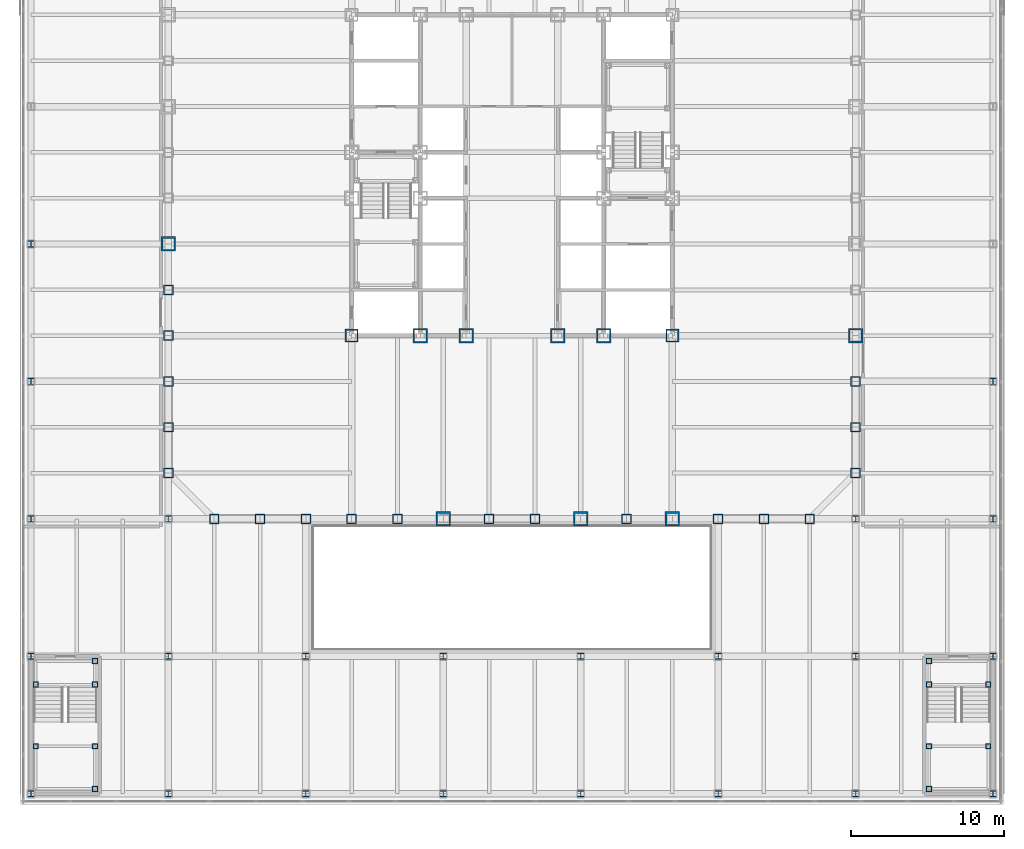
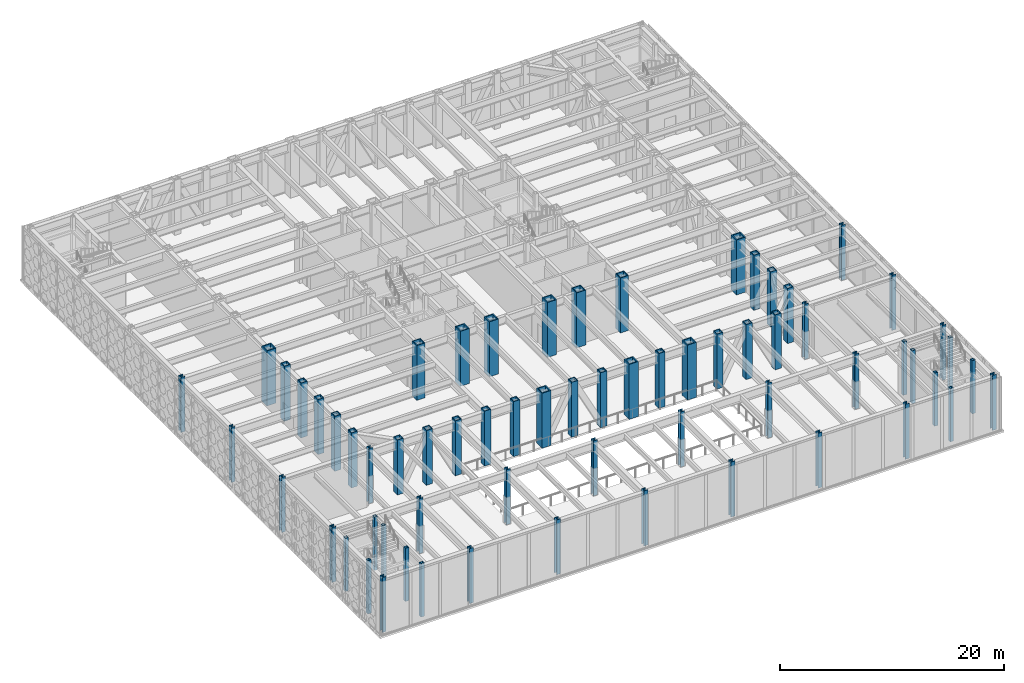
# One storey, part 1 of 32: 65 columns.
"""IFC4 building model written with IfcOpenShell, lengths in metres."""

from ifc_helpers import new_model, si_unit, direction, frame, origin, origin_2d, place, context, subcontext, project, spatial, hollow_rectangle, i_section, extrude, material, material_profile, profile_set, type_object, element, save


model = new_model("IFC4")

# Units and contexts
model_context = context("Model", 3, precision=1e-05, world=origin(), true_north=direction((0.0, 1.0)))
body_context = subcontext(model_context, "Body", "Model", "MODEL_VIEW")
ifc_project = project(units=[si_unit("LENGTHUNIT", "METRE"), si_unit("AREAUNIT", "SQUARE_METRE"), si_unit("VOLUMEUNIT", "CUBIC_METRE"), si_unit("PLANEANGLEUNIT", "RADIAN"), si_unit("MASSUNIT", "GRAM", prefix="KILO")], contexts=[model_context])

# Site, building, storey
site_placement = place(None, origin())
site = spatial("IfcSite", under=ifc_project, at=site_placement, CompositionType="ELEMENT")
building_placement = place(site_placement, origin())
building = spatial("IfcBuilding", under=site, at=building_placement, Name="Chuquiago Exchange Tower", CompositionType="ELEMENT")
storey_placement = place(building_placement, frame((0.0, 0.0, 13.5)))
storey = spatial("IfcBuildingStorey", under=building, at=storey_placement, Name="L02", CompositionType="ELEMENT", Elevation=13.5)

# Columns
ifc_material_1 = material(Name="Steel ASTM A572 Grade 50", Category="steel")
ifc_material_profile_1 = material_profile(ifc_material_1, hollow_rectangle(XDim=0.64990234375, YDim=0.64990234375, WallThickness=0.06494140625, at=origin_2d()), Name="BOX650X650X65")
ifc_profile_set_1 = profile_set([ifc_material_profile_1], Name="Steel ASTM A572 Grade 50")
column_type_1 = type_object("IfcColumnType", Name="C1 BOX650X650X65", PredefinedType="COLUMN", material=ifc_profile_set_1)
for number, where, z_axis, x_axis, name in (
    (1, (3.0, 0.0, 0.0), (0.0, 0.0, 1.0), (0.0, -1.0, 0.0), "COL-L02-3_0"),
    (2, (6.0, 0.0, 0.0), (0.0, 0.0, 1.0), (0.0, -1.0, 0.0), "COL-L02-6_0"),
    (3, (9.0, 0.0, 0.0), (0.0, 0.0, 1.0), (0.0, -1.0, 0.0), "COL-L02-9_0"),
    (4, (12.0, 0.0, 0.0), (0.0, 0.0, 1.0), (0.0, -1.0, 0.0), "COL-L02-12_0"),
    (5, (15.0, 0.0, 0.0), (0.0, 0.0, 1.0), (0.0, -1.0, 0.0), "COL-L02-15_0"),
    (6, (21.0, 0.0, 0.0), (0.0, 0.0, 1.0), (0.0, -1.0, 0.0), "COL-L02-21_0"),
    (7, (24.0, 0.0, 0.0), (0.0, 0.0, 1.0), (0.0, -1.0, 0.0), "COL-L02-24_0"),
    (8, (30.0, 0.0, 0.0), (0.0, 0.0, 1.0), (0.0, -1.0, 0.0), "COL-L02-30_0"),
    (9, (36.0, 0.0, 0.0), (0.0, 0.0, 1.0), (0.0, -1.0, 0.0), "COL-L02-36_0"),
    (10, (39.0, 0.0, 0.0), (0.0, 0.0, 1.0), (0.0, -1.0, 0.0), "COL-L02-39_0"),
    (11, (42.0, 0.0, 0.0), (0.0, 0.0, 1.0), (0.0, -1.0, 0.0), "COL-L02-42_0"),
    (12, (45.0, 3.0, 0.0), (0.0, 0.0, 1.0), (1.0, 0.0, 0.0), "COL-L02-45_3"),
    (13, (45.0, 6.0, 0.0), (0.0, 0.0, 1.0), (1.0, 0.0, 0.0), "COL-L02-45_6"),
    (14, (45.0, 9.0, 0.0), (0.0, 0.0, 1.0), (1.0, 0.0, 0.0), "COL-L02-45_9"),
    (15, (0.0, 15.0, 0.0), (0.0, 0.0, 1.0), (-1.0, 0.0, 0.0), "COL-L02-0_15"),
    (16, (0.0, 12.0, 0.0), (0.0, 0.0, 1.0), (-1.0, 0.0, 0.0), "COL-L02-0_12"),
    (17, (0.0, 9.0, 0.0), (0.0, 0.0, 1.0), (-1.0, 0.0, 0.0), "COL-L02-0_9"),
    (18, (0.0, 6.0, 0.0), (0.0, 0.0, 1.0), (-1.0, 0.0, 0.0), "COL-L02-0_6"),
    (19, (0.0, 3.0, 0.0), (0.0, 0.0, 1.0), (-1.0, 0.0, 0.0), "COL-L02-0_3"),
):
    element("IfcColumn", number, at=place(storey_placement, frame(where, z_axis=z_axis, x_axis=x_axis)), inside=storey, type_object=column_type_1, Name=name, PredefinedType="COLUMN", context=body_context, shape_type="SweptSolid", body=[
        extrude(hollow_rectangle(XDim=0.64990234375, YDim=0.64990234375, WallThickness=0.06494140625, at=origin_2d()), origin(), (0.0, 0.0, 1.0), 6.0),
    ])
ifc_material_2 = material(Name="Steel ASTM A572 Grade 50", Category="steel")
ifc_material_profile_2 = material_profile(ifc_material_2, hollow_rectangle(XDim=0.949951171875, YDim=0.949951171875, WallThickness=0.094970703125, at=origin_2d()), Name="BOX950X950X95")
ifc_profile_set_2 = profile_set([ifc_material_profile_2], Name="Steel ASTM A572 Grade 50")
column_type_2 = type_object("IfcColumnType", Name="CC1 BOX950X950X95", PredefinedType="COLUMN", material=ifc_profile_set_2)
for number, where, z_axis, x_axis, name in (
    (20, (16.5, 12.0, 0.0), (0.0, 0.0, 1.0), (1.0, 0.0, 0.0), "CCOL-L02-16.5_12"),
    (21, (19.5, 12.0, 0.0), (0.0, 0.0, 1.0), (1.0, 0.0, 0.0), "CCOL-L02-19.5_12"),
    (22, (25.5, 12.0, 0.0), (0.0, 0.0, 1.0), (1.0, 0.0, 0.0), "CCOL-L02-25.5_12"),
    (23, (28.5, 12.0, 0.0), (0.0, 0.0, 1.0), (1.0, 0.0, 0.0), "CCOL-L02-28.5_12"),
):
    element("IfcColumn", number, at=place(storey_placement, frame(where, z_axis=z_axis, x_axis=x_axis)), inside=storey, type_object=column_type_2, Name=name, PredefinedType="COLUMN", context=body_context, shape_type="SweptSolid", body=[
        extrude(hollow_rectangle(XDim=0.949951171875, YDim=0.949951171875, WallThickness=0.094970703125, at=origin_2d()), origin(), (0.0, 0.0, 1.0), 6.0),
    ])
ifc_material_3 = material(Name="Steel ASTM A572 Grade 50", Category="steel")
ifc_material_profile_3 = material_profile(ifc_material_3, hollow_rectangle(XDim=0.85009765625, YDim=0.85009765625, WallThickness=0.0849609375, at=origin_2d()), Name="BOX850X850X85")
ifc_profile_set_3 = profile_set([ifc_material_profile_3], Name="Steel ASTM A572 Grade 50")
column_type_3 = type_object("IfcColumnType", Name="CC6 BOX850X850X85", PredefinedType="COLUMN", material=ifc_profile_set_3)
for number, where, z_axis, x_axis, name in (
    (24, (12.0, 12.0, 0.0), (0.0, 0.0, 1.0), (1.0, 0.0, 0.0), "CCOL-L02-12_12"),
    (25, (33.0, 12.0, 0.0), (0.0, 0.0, 1.0), (1.0, 0.0, 0.0), "CCOL-L02-33_12"),
):
    element("IfcColumn", number, at=place(storey_placement, frame(where, z_axis=z_axis, x_axis=x_axis)), inside=storey, type_object=column_type_3, Name=name, PredefinedType="COLUMN", context=body_context, shape_type="SweptSolid", body=[
        extrude(hollow_rectangle(XDim=0.85009765625, YDim=0.85009765625, WallThickness=0.0849609375, at=origin_2d()), origin(), (0.0, 0.0, 1.0), 6.0),
    ])
ifc_material_4 = material(Name="Steel ASTM A572 Grade 42", Category="steel")
ifc_material_profile_4 = material_profile(ifc_material_4, hollow_rectangle(XDim=0.949951171875, YDim=0.949951171875, WallThickness=0.110107421875, at=origin_2d()), Name="BOX950X950X110")
ifc_profile_set_4 = profile_set([ifc_material_profile_4], Name="Steel ASTM A572 Grade 42")
column_type_4 = type_object("IfcColumnType", Name="CT1 BOX950X950X110", PredefinedType="COLUMN", material=ifc_profile_set_4)
for number, where, z_axis, x_axis, name in (
    (26, (18.0, 0.0, 0.0), (0.0, 0.0, 1.0), (0.0, -1.0, 0.0), "COL-L02-18_0"),
    (27, (27.0, 0.0, 0.0), (0.0, 0.0, 1.0), (0.0, -1.0, 0.0), "COL-L02-27_0"),
    (28, (33.0, 0.0, 0.0), (0.0, 0.0, 1.0), (0.0, -1.0, 0.0), "COL-L02-33_0"),
    (29, (45.0, 12.0, 0.0), (0.0, 0.0, 1.0), (1.0, 0.0, 0.0), "COL-L02-45_12"),
    (30, (0.0, 18.0, 0.0), (0.0, 0.0, 1.0), (-1.0, 0.0, 0.0), "COL-L02-0_18"),
):
    element("IfcColumn", number, at=place(storey_placement, frame(where, z_axis=z_axis, x_axis=x_axis)), inside=storey, type_object=column_type_4, Name=name, PredefinedType="COLUMN", context=body_context, shape_type="SweptSolid", body=[
        extrude(hollow_rectangle(XDim=0.949951171875, YDim=0.949951171875, WallThickness=0.110107421875, at=origin_2d()), origin(), (0.0, 0.0, 1.0), 6.0),
    ])
ifc_material_5 = material(Name="Steel ASTM A992", Category="steel")
ifc_material_profile_5 = material_profile(ifc_material_5, i_section(OverallWidth=0.411376953125, OverallDepth=0.434326171875, WebThickness=0.035888671875, FlangeThickness=0.057373046875, at=origin_2d()), Name="W14X311")
ifc_profile_set_5 = profile_set([ifc_material_profile_5], Name="Steel ASTM A992")
column_type_5 = type_object("IfcColumnType", Name="PC1 W14X311", PredefinedType="COLUMN", material=ifc_profile_set_5)
for number, where, z_axis, x_axis, name in (
    (31, (-9.0, -18.0, 0.0), (0.0, 0.0, 1.0), (1.0, 0.0, 0.0), "PCOL-L02--9_-18"),
    (32, (-9.0, -9.0, 0.0), (0.0, 0.0, 1.0), (1.0, 0.0, 0.0), "PCOL-L02--9_-9"),
    (33, (-9.0, 0.0, 0.0), (0.0, 0.0, 1.0), (1.0, 0.0, 0.0), "PCOL-L02--9_0"),
    (34, (-9.0, 9.0, 0.0), (0.0, 0.0, 1.0), (1.0, 0.0, 0.0), "PCOL-L02--9_9"),
    (35, (-9.0, 18.0, 0.0), (0.0, 0.0, 1.0), (1.0, 0.0, 0.0), "PCOL-L02--9_18"),
    (36, (0.0, -18.0, 0.0), (0.0, 0.0, 1.0), (1.0, 0.0, 0.0), "PCOL-L02-0_-18"),
    (37, (0.0, -9.0, 0.0), (0.0, 0.0, 1.0), (1.0, 0.0, 0.0), "PCOL-L02-0_-9"),
    (38, (0.0, 0.0, 0.0), (0.0, 0.0, 1.0), (1.0, 0.0, 0.0), "PCOL-L02-0_0"),
    (39, (9.0, -18.0, 0.0), (0.0, 0.0, 1.0), (1.0, 0.0, 0.0), "PCOL-L02-9_-18"),
    (40, (9.0, -9.0, 0.0), (0.0, 0.0, 1.0), (1.0, 0.0, 0.0), "PCOL-L02-9_-9"),
    (41, (18.0, -18.0, 0.0), (0.0, 0.0, 1.0), (1.0, 0.0, 0.0), "PCOL-L02-18_-18"),
    (42, (18.0, -9.0, 0.0), (0.0, 0.0, 1.0), (1.0, 0.0, 0.0), "PCOL-L02-18_-9"),
    (43, (27.0, -18.0, 0.0), (0.0, 0.0, 1.0), (1.0, 0.0, 0.0), "PCOL-L02-27_-18"),
    (44, (27.0, -9.0, 0.0), (0.0, 0.0, 1.0), (1.0, 0.0, 0.0), "PCOL-L02-27_-9"),
    (45, (36.0, -18.0, 0.0), (0.0, 0.0, 1.0), (1.0, 0.0, 0.0), "PCOL-L02-36_-18"),
    (46, (36.0, -9.0, 0.0), (0.0, 0.0, 1.0), (1.0, 0.0, 0.0), "PCOL-L02-36_-9"),
    (47, (45.0, -18.0, 0.0), (0.0, 0.0, 1.0), (1.0, 0.0, 0.0), "PCOL-L02-45_-18"),
    (48, (45.0, -9.0, 0.0), (0.0, 0.0, 1.0), (1.0, 0.0, 0.0), "PCOL-L02-45_-9"),
    (49, (45.0, 0.0, 0.0), (0.0, 0.0, 1.0), (1.0, 0.0, 0.0), "PCOL-L02-45_0"),
    (50, (54.0, -18.0, 0.0), (0.0, 0.0, 1.0), (1.0, 0.0, 0.0), "PCOL-L02-54_-18"),
    (51, (54.0, -9.0, 0.0), (0.0, 0.0, 1.0), (1.0, 0.0, 0.0), "PCOL-L02-54_-9"),
    (52, (54.0, 0.0, 0.0), (0.0, 0.0, 1.0), (1.0, 0.0, 0.0), "PCOL-L02-54_0"),
    (53, (54.0, 9.0, 0.0), (0.0, 0.0, 1.0), (1.0, 0.0, 0.0), "PCOL-L02-54_9"),
):
    element("IfcColumn", number, at=place(storey_placement, frame(where, z_axis=z_axis, x_axis=x_axis)), inside=storey, type_object=column_type_5, Name=name, PredefinedType="COLUMN", context=body_context, shape_type="SweptSolid", body=[
        extrude(i_section(OverallWidth=0.411376953125, OverallDepth=0.434326171875, WebThickness=0.035888671875, FlangeThickness=0.057373046875, at=origin_2d()), origin(), (0.0, 0.0, 1.0), 6.0),
    ])
ifc_material_6 = material(Name="Steel ASTM A572 Grade 50", Category="steel")
ifc_material_profile_6 = material_profile(ifc_material_6, hollow_rectangle(XDim=0.35009765625, YDim=0.35009765625, WallThickness=0.034912109375, at=origin_2d()), Name="BOX350X350X35")
ifc_profile_set_6 = profile_set([ifc_material_profile_6], Name="Steel ASTM A572 Grade 50")
column_type_6 = type_object("IfcColumnType", Name="PT3 BOX350X350X35", PredefinedType="COLUMN", material=ifc_profile_set_6)
for number, where, z_axis, x_axis, name in (
    (54, (-4.81005859375, -17.68994140625, 0.0), (0.0, 0.0, 1.0), (1.0, 0.0, 0.0), "Stair PS1 L02 landing post"),
    (55, (-8.68994140625, -14.889892578125, 0.0), (0.0, 0.0, 1.0), (1.0, 0.0, 0.0), "Stair PS1 L02 landing post"),
    (56, (-4.81005859375, -14.889892578125, 0.0), (0.0, 0.0, 1.0), (1.0, 0.0, 0.0), "Stair PS1 L02 landing post"),
    (57, (-8.68994140625, -10.85009765625, 0.0), (0.0, 0.0, 1.0), (1.0, 0.0, 0.0), "Stair PS1 L02 landing post"),
    (58, (-4.81005859375, -10.85009765625, 0.0), (0.0, 0.0, 1.0), (1.0, 0.0, 0.0), "Stair PS1 L02 landing post"),
    (59, (-4.81005859375, -9.31005859375, 0.0), (0.0, 0.0, 1.0), (1.0, 0.0, 0.0), "Stair PS1 L02 landing post"),
    (60, (49.81005859375, -17.68994140625, 0.0), (0.0, 0.0, 1.0), (1.0, 0.0, 0.0), "Stair PS2 L02 landing post"),
    (61, (49.81005859375, -14.889892578125, 0.0), (0.0, 0.0, 1.0), (1.0, 0.0, 0.0), "Stair PS2 L02 landing post"),
    (62, (53.68994140625, -14.889892578125, 0.0), (0.0, 0.0, 1.0), (1.0, 0.0, 0.0), "Stair PS2 L02 landing post"),
    (63, (49.81005859375, -10.85009765625, 0.0), (0.0, 0.0, 1.0), (1.0, 0.0, 0.0), "Stair PS2 L02 landing post"),
    (64, (53.68994140625, -10.85009765625, 0.0), (0.0, 0.0, 1.0), (1.0, 0.0, 0.0), "Stair PS2 L02 landing post"),
    (65, (49.81005859375, -9.31005859375, 0.0), (0.0, 0.0, 1.0), (1.0, 0.0, 0.0), "Stair PS2 L02 landing post"),
):
    element("IfcColumn", number, at=place(storey_placement, frame(where, z_axis=z_axis, x_axis=x_axis)), inside=storey, type_object=column_type_6, Name=name, PredefinedType="COLUMN", context=body_context, shape_type="SweptSolid", body=[
        extrude(hollow_rectangle(XDim=0.35009765625, YDim=0.35009765625, WallThickness=0.034912109375, at=origin_2d()), origin(), (0.0, 0.0, 1.0), 5.800048828125),
    ])

save(model, "model.ifc")
